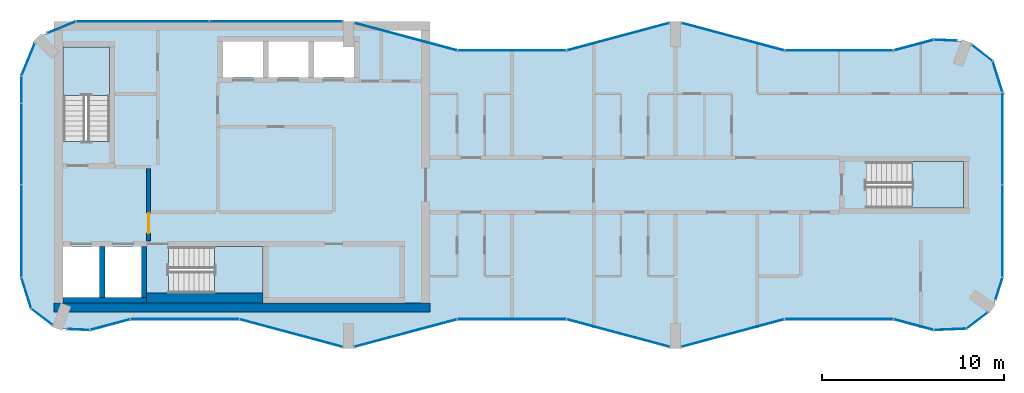
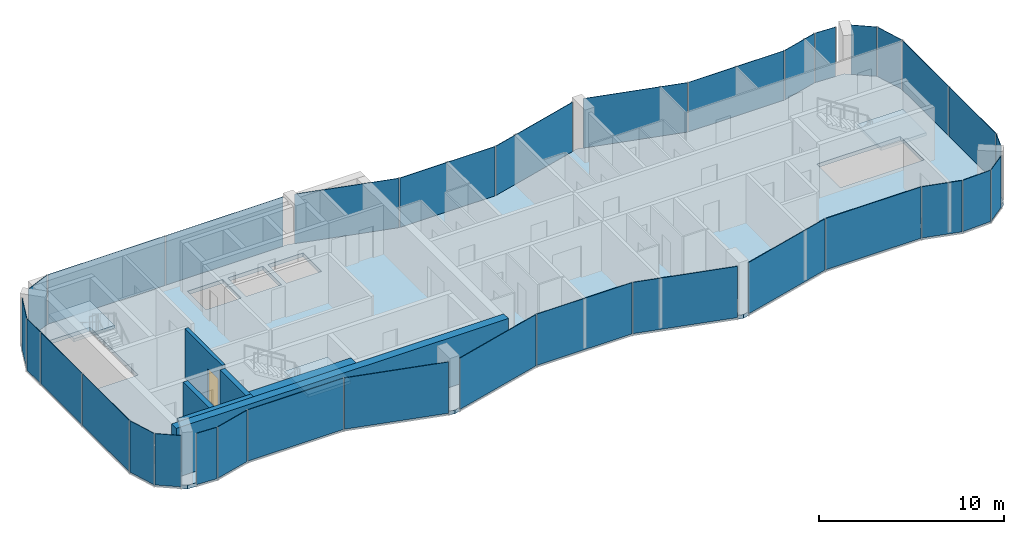
# One storey, part 6 of 10: 33 plates, 6 walls, 4 slabs, 1 door, 1 opening, 32 elements without a shape of their own.
"""IFC4 building model written with IfcOpenShell, lengths in metres."""

from ifc_helpers import new_model, si_unit, direction, frame, frame_2d, origin, origin_2d, place, context, subcontext, project, spatial, polyline, rectangle, outline, extrude, material, layer, layer_set, type_object, element, fill, aggregate, save


model = new_model("IFC4")

# Units and contexts
model_context = context("Model", 3, precision=1e-05, world=origin(), true_north=direction((0.0, 1.0)))
body_context = subcontext(model_context, "Body", "Model", "MODEL_VIEW")
ifc_project = project(units=[si_unit("LENGTHUNIT", "METRE"), si_unit("AREAUNIT", "SQUARE_METRE"), si_unit("VOLUMEUNIT", "CUBIC_METRE"), si_unit("PLANEANGLEUNIT", "RADIAN"), si_unit("MASSUNIT", "GRAM", prefix="KILO")], contexts=[model_context])

# Site, building, storey
site_placement = place(None, origin())
site = spatial("IfcSite", under=ifc_project, at=site_placement, CompositionType="ELEMENT")
building_placement = place(site_placement, origin())
building = spatial("IfcBuilding", under=site, at=building_placement, Name="Plateau Cross Towers", CompositionType="ELEMENT")
storey_placement = place(building_placement, frame((0.0, 0.0, 252.89990234375)))
storey = spatial("IfcBuildingStorey", under=building, at=storey_placement, Name="L66", CompositionType="ELEMENT", Elevation=252.89990234375)

# Curtain wall, plate
ifc_material_1 = material(Name="Dark low-iron glass", Category="glass")
ifc_layer_1 = layer(ifc_material_1, 0.239990234375)
ifc_layer_set_1 = layer_set([ifc_layer_1], Name="Dark low-iron glass")
curtain_wall_type_1 = type_object("IfcCurtainWallType", Name="Curtain wall flush unitised CW-B", PredefinedType="NOTDEFINED", material=ifc_layer_set_1)
curtain_wall_1_placement = place(storey_placement, origin())
curtain_wall_1 = element("IfcCurtainWall", 1, at=curtain_wall_1_placement, inside=storey, type_object=curtain_wall_type_1, Name="ENV/A/L66/A502_10", PredefinedType="NOTDEFINED")
ifc_layer_2 = layer(ifc_material_1, 0.031982421875)
ifc_layer_set_2 = layer_set([ifc_layer_2], Name="Dark low-iron glass")
plate_type_1 = type_object("IfcPlateType", Name="Glass panel 32 flush unitised", PredefinedType="CURTAIN_PANEL", material=ifc_layer_set_2)
plate_1_placement = place(storey_placement, frame((51.125, 1.05078125, -0.1298828125), z_axis=(0.0, 0.0, 1.0), x_axis=(0.999043701491, 0.043722791671, 0.0)))
plate_1 = element("IfcPlate", 2, at=plate_1_placement, type_object=plate_type_1, Name="CW-B panel 1", PredefinedType="CURTAIN_PANEL", context=body_context, shape_type="SweptSolid", body=[
    extrude(rectangle(XDim=1.744140625, YDim=0.031982421875, at=origin_2d()), origin(), (0.0, 0.0, 1.0), 3.3798828125),
])
aggregate(curtain_wall_1, [plate_1])

curtain_wall_2_placement = place(storey_placement, origin())
curtain_wall_2 = element("IfcCurtainWall", 3, at=curtain_wall_2_placement, inside=storey, type_object=curtain_wall_type_1, Name="ENV/A/L66/A520_11", PredefinedType="NOTDEFINED")
plate_2_placement = place(storey_placement, frame((52.60986328125, 1.5380859375, -0.1298828125), z_axis=(0.0, 0.0, 1.0), x_axis=(0.793315514529, 0.608810721331, 0.0)))
plate_2 = element("IfcPlate", 4, at=plate_2_placement, type_object=plate_type_1, Name="CW-B panel 1", PredefinedType="CURTAIN_PANEL", context=body_context, shape_type="SweptSolid", body=[
    extrude(rectangle(XDim=1.41162109375, YDim=0.031982421875, at=origin_2d()), origin(), (0.0, 0.0, 1.0), 3.3798828125),
])
aggregate(curtain_wall_2, [plate_2])

curtain_wall_3_placement = place(storey_placement, origin())
curtain_wall_3 = element("IfcCurtainWall", 5, at=curtain_wall_3_placement, inside=storey, type_object=curtain_wall_type_1, Name="ENV/A/L66/A536_27", PredefinedType="NOTDEFINED")
plate_3_placement = place(storey_placement, frame((53.805419921875, 3.292236328125, -0.1298828125), z_axis=(0.0, 0.0, 1.0), x_axis=(0.300686174994, 0.95372313811, 0.0)))
plate_3 = element("IfcPlate", 6, at=plate_3_placement, type_object=plate_type_1, Name="CW-B panel 1", PredefinedType="CURTAIN_PANEL", context=body_context, shape_type="SweptSolid", body=[
    extrude(rectangle(XDim=1.233642578125, YDim=0.031982421875, at=origin_2d()), origin(), (0.0, 0.0, 1.0), 3.3798828125),
])
aggregate(curtain_wall_3, [plate_3])

# Curtain wall, plates
curtain_wall_4_placement = place(storey_placement, origin())
curtain_wall_4 = element("IfcCurtainWall", 7, at=curtain_wall_4_placement, inside=storey, type_object=curtain_wall_type_1, Name="ENV/A/L66/A540_39", PredefinedType="NOTDEFINED")
plate_4_placement = place(storey_placement, frame((54.0, 6.45458984375, -0.1298828125), z_axis=(0.0, 0.0, 1.0), x_axis=(0.0, 1.0, 0.0)))
plate_4 = element("IfcPlate", 8, at=plate_4_placement, type_object=plate_type_1, Name="CW-B panel 1", PredefinedType="CURTAIN_PANEL", context=body_context, shape_type="SweptSolid", body=[
    extrude(rectangle(XDim=5.03076171875, YDim=0.031982421875, at=origin_2d()), origin(), (0.0, 0.0, 1.0), 3.3798828125),
])
plate_5_placement = place(storey_placement, frame((54.0, 11.54541015625, -0.1298828125), z_axis=(0.0, 0.0, 1.0), x_axis=(0.0, 1.0, 0.0)))
plate_5 = element("IfcPlate", 9, at=plate_5_placement, type_object=plate_type_1, Name="CW-B panel 2", PredefinedType="CURTAIN_PANEL", context=body_context, shape_type="SweptSolid", body=[
    extrude(rectangle(XDim=5.03076171875, YDim=0.031982421875, at=origin_2d()), origin(), (0.0, 0.0, 1.0), 3.3798828125),
])
aggregate(curtain_wall_4, [plate_4, plate_5])

# Curtain wall, plate
curtain_wall_5_placement = place(storey_placement, origin())
curtain_wall_5 = element("IfcCurtainWall", 10, at=curtain_wall_5_placement, inside=storey, type_object=curtain_wall_type_1, Name="ENV/A/L66/A540_141", PredefinedType="NOTDEFINED")
plate_6_placement = place(storey_placement, frame((53.728759765625, 14.951171875, -0.1298828125), z_axis=(0.0, 0.0, 1.0), x_axis=(-0.300686174994, 0.95372313811, 0.0)))
plate_6 = element("IfcPlate", 11, at=plate_6_placement, type_object=plate_type_1, Name="CW-B panel 1", PredefinedType="CURTAIN_PANEL", context=body_context, shape_type="SweptSolid", body=[
    extrude(rectangle(XDim=1.744140625, YDim=0.031982421875, at=origin_2d()), origin(), (0.0, 0.0, 1.0), 3.3798828125),
])
aggregate(curtain_wall_5, [plate_6])

curtain_wall_6_placement = place(storey_placement, origin())
curtain_wall_6 = element("IfcCurtainWall", 12, at=curtain_wall_6_placement, inside=storey, type_object=curtain_wall_type_1, Name="ENV/A/L66/A535_158", PredefinedType="NOTDEFINED")
plate_7_placement = place(storey_placement, frame((52.873779296875, 16.25927734375, -0.1298828125), z_axis=(0.0, 0.0, 1.0), x_axis=(-0.793315514529, 0.608810721331, 0.0)))
plate_7 = element("IfcPlate", 13, at=plate_7_placement, type_object=plate_type_1, Name="CW-B panel 1", PredefinedType="CURTAIN_PANEL", context=body_context, shape_type="SweptSolid", body=[
    extrude(rectangle(XDim=1.41162109375, YDim=0.031982421875, at=origin_2d()), origin(), (0.0, 0.0, 1.0), 3.3798828125),
])
aggregate(curtain_wall_6, [plate_7])

curtain_wall_7_placement = place(storey_placement, origin())
curtain_wall_7 = element("IfcCurtainWall", 14, at=curtain_wall_7_placement, inside=storey, type_object=curtain_wall_type_1, Name="ENV/A/L66/A515_169", PredefinedType="NOTDEFINED")
plate_8_placement = place(storey_placement, frame((50.8701171875, 16.96044921875, -0.1298828125), z_axis=(0.0, 0.0, 1.0), x_axis=(-0.999043701491, 0.043722791671, 0.0)))
plate_8 = element("IfcPlate", 15, at=plate_8_placement, type_object=plate_type_1, Name="CW-B panel 1", PredefinedType="CURTAIN_PANEL", context=body_context, shape_type="SweptSolid", body=[
    extrude(rectangle(XDim=1.233642578125, YDim=0.031982421875, at=origin_2d()), origin(), (0.0, 0.0, 1.0), 3.3798828125),
])
aggregate(curtain_wall_7, [plate_8])

# Curtain wall, plates
curtain_wall_8_placement = place(storey_placement, origin())
curtain_wall_8 = element("IfcCurtainWall", 16, at=curtain_wall_8_placement, inside=storey, type_object=curtain_wall_type_1, Name="ENV/A/L66/A177_180", PredefinedType="NOTDEFINED")
plate_9_placement = place(storey_placement, frame((14.02490234375, 18.0, -0.1298828125), z_axis=(0.0, 0.0, 1.0), x_axis=(-1.0, 0.0, 0.0)))
plate_9 = element("IfcPlate", 17, at=plate_9_placement, type_object=plate_type_1, Name="CW-B panel 1", PredefinedType="CURTAIN_PANEL", context=body_context, shape_type="SweptSolid", body=[
    extrude(rectangle(XDim=7.2900390625, YDim=0.031982421875, at=origin_2d()), origin(), (0.0, 0.0, 1.0), 3.3798828125),
])
plate_10_placement = place(storey_placement, frame((6.675048828125, 18.0, -0.1298828125), z_axis=(0.0, 0.0, 1.0), x_axis=(-1.0, 0.0, 0.0)))
plate_10 = element("IfcPlate", 18, at=plate_10_placement, type_object=plate_type_1, Name="CW-B panel 2", PredefinedType="CURTAIN_PANEL", context=body_context, shape_type="SweptSolid", body=[
    extrude(rectangle(XDim=7.2900390625, YDim=0.031982421875, at=origin_2d()), origin(), (0.0, 0.0, 1.0), 3.3798828125),
])
aggregate(curtain_wall_8, [plate_9, plate_10])

# Curtain wall, plate
curtain_wall_9_placement = place(storey_placement, origin())
curtain_wall_9 = element("IfcCurtainWall", 19, at=curtain_wall_9_placement, inside=storey, type_object=curtain_wall_type_1, Name="ENV/A/L66/A30_180", PredefinedType="NOTDEFINED")
plate_11_placement = place(storey_placement, frame((2.20166015625, 17.66943359375, -0.1298828125), z_axis=(0.0, 0.0, 1.0), x_axis=(-0.923879457699, -0.382683612978, 0.0)))
plate_11 = element("IfcPlate", 20, at=plate_11_placement, type_object=plate_type_1, Name="CW-B panel 1", PredefinedType="CURTAIN_PANEL", context=body_context, shape_type="SweptSolid", body=[
    extrude(rectangle(XDim=1.668212890625, YDim=0.031982421875, at=origin_2d()), origin(), (0.0, 0.0, 1.0), 3.3798828125),
])
aggregate(curtain_wall_9, [plate_11])

curtain_wall_10_placement = place(storey_placement, origin())
curtain_wall_10 = element("IfcCurtainWall", 21, at=curtain_wall_10_placement, inside=storey, type_object=curtain_wall_type_1, Name="ENV/A/L66/A7_168", PredefinedType="NOTDEFINED")
plate_12_placement = place(storey_placement, frame((0.3740234375, 15.90283203125, -0.1298828125), z_axis=(0.0, 0.0, 1.0), x_axis=(-0.382683612978, -0.923879457699, 0.0)))
plate_12 = element("IfcPlate", 22, at=plate_12_placement, type_object=plate_type_1, Name="CW-B panel 1", PredefinedType="CURTAIN_PANEL", context=body_context, shape_type="SweptSolid", body=[
    extrude(rectangle(XDim=1.894775390625, YDim=0.031982421875, at=origin_2d()), origin(), (0.0, 0.0, 1.0), 3.3798828125),
])
aggregate(curtain_wall_10, [plate_12])

# Curtain wall, plates
curtain_wall_11_placement = place(storey_placement, origin())
curtain_wall_11 = element("IfcCurtainWall", 23, at=curtain_wall_11_placement, inside=storey, type_object=curtain_wall_type_1, Name="ENV/A/L66/A0_150", PredefinedType="NOTDEFINED")
plate_13_placement = place(storey_placement, frame((0.0, 14.25, -0.1298828125), z_axis=(0.0, 0.0, 1.0), x_axis=(0.0, -1.0, 0.0)))
plate_13 = element("IfcPlate", 24, at=plate_13_placement, type_object=plate_type_1, Name="CW-B panel 1", PredefinedType="CURTAIN_PANEL", context=body_context, shape_type="SweptSolid", body=[
    extrude(rectangle(XDim=1.43994140625, YDim=0.031982421875, at=origin_2d()), origin(), (0.0, 0.0, 1.0), 3.3798828125),
])
plate_14_placement = place(storey_placement, frame((0.0, 11.25, -0.1298828125), z_axis=(0.0, 0.0, 1.0), x_axis=(0.0, -1.0, 0.0)))
plate_14 = element("IfcPlate", 25, at=plate_14_placement, type_object=plate_type_1, Name="CW-B panel 2", PredefinedType="CURTAIN_PANEL", context=body_context, shape_type="SweptSolid", body=[
    extrude(rectangle(XDim=4.43994140625, YDim=0.031982421875, at=origin_2d()), origin(), (0.0, 0.0, 1.0), 3.3798828125),
])
plate_15_placement = place(storey_placement, frame((0.0, 6.45458984375, -0.1298828125), z_axis=(0.0, 0.0, 1.0), x_axis=(0.0, -1.0, 0.0)))
plate_15 = element("IfcPlate", 26, at=plate_15_placement, type_object=plate_type_1, Name="CW-B panel 3", PredefinedType="CURTAIN_PANEL", context=body_context, shape_type="SweptSolid", body=[
    extrude(rectangle(XDim=5.03076171875, YDim=0.031982421875, at=origin_2d()), origin(), (0.0, 0.0, 1.0), 3.3798828125),
])
aggregate(curtain_wall_11, [plate_13, plate_14, plate_15])

# Curtain wall, plate
curtain_wall_12_placement = place(storey_placement, origin())
curtain_wall_12 = element("IfcCurtainWall", 27, at=curtain_wall_12_placement, inside=storey, type_object=curtain_wall_type_1, Name="ENV/A/L66/A0_39", PredefinedType="NOTDEFINED")
plate_16_placement = place(storey_placement, frame((0.271240234375, 3.048828125, -0.1298828125), z_axis=(0.0, 0.0, 1.0), x_axis=(0.300686174994, -0.95372313811, 0.0)))
plate_16 = element("IfcPlate", 28, at=plate_16_placement, type_object=plate_type_1, Name="CW-B panel 1", PredefinedType="CURTAIN_PANEL", context=body_context, shape_type="SweptSolid", body=[
    extrude(rectangle(XDim=1.744140625, YDim=0.031982421875, at=origin_2d()), origin(), (0.0, 0.0, 1.0), 3.3798828125),
])
aggregate(curtain_wall_12, [plate_16])

curtain_wall_13_placement = place(storey_placement, origin())
curtain_wall_13 = element("IfcCurtainWall", 29, at=curtain_wall_13_placement, inside=storey, type_object=curtain_wall_type_1, Name="ENV/A/L66/A5_22", PredefinedType="NOTDEFINED")
plate_17_placement = place(storey_placement, frame((1.126220703125, 1.74072265625, -0.1298828125), z_axis=(0.0, 0.0, 1.0), x_axis=(0.793315514529, -0.608810721331, 0.0)))
plate_17 = element("IfcPlate", 30, at=plate_17_placement, type_object=plate_type_1, Name="CW-B panel 1", PredefinedType="CURTAIN_PANEL", context=body_context, shape_type="SweptSolid", body=[
    extrude(rectangle(XDim=1.41162109375, YDim=0.031982421875, at=origin_2d()), origin(), (0.0, 0.0, 1.0), 3.3798828125),
])
aggregate(curtain_wall_13, [plate_17])

curtain_wall_14_placement = place(storey_placement, origin())
curtain_wall_14 = element("IfcCurtainWall", 31, at=curtain_wall_14_placement, inside=storey, type_object=curtain_wall_type_1, Name="ENV/A/L66/A25_11", PredefinedType="NOTDEFINED")
plate_18_placement = place(storey_placement, frame((3.1298828125, 1.03955078125, -0.1298828125), z_axis=(0.0, 0.0, 1.0), x_axis=(0.999043701491, -0.043722791671, 0.0)))
plate_18 = element("IfcPlate", 32, at=plate_18_placement, type_object=plate_type_1, Name="CW-B panel 1", PredefinedType="CURTAIN_PANEL", context=body_context, shape_type="SweptSolid", body=[
    extrude(rectangle(XDim=1.233642578125, YDim=0.031982421875, at=origin_2d()), origin(), (0.0, 0.0, 1.0), 3.3798828125),
])
aggregate(curtain_wall_14, [plate_18])

ifc_layer_3 = layer(ifc_material_1, 0.260009765625)
ifc_layer_set_3 = layer_set([ifc_layer_3], Name="Dark low-iron glass")
curtain_wall_type_2 = type_object("IfcCurtainWallType", Name="Curtain wall fluted unitised CW-A", PredefinedType="NOTDEFINED", material=ifc_layer_set_3)
curtain_wall_15_placement = place(storey_placement, origin())
curtain_wall_15 = element("IfcCurtainWall", 33, at=curtain_wall_15_placement, inside=storey, type_object=curtain_wall_type_2, Name="ENV/A/L66/A38_10", PredefinedType="NOTDEFINED")
ifc_layer_4 = layer(ifc_material_1, 0.035888671875)
ifc_layer_set_4 = layer_set([ifc_layer_4], Name="Dark low-iron glass")
plate_type_2 = type_object("IfcPlateType", Name="Glass panel 36 fluted unitised", PredefinedType="CURTAIN_PANEL", material=ifc_layer_set_4)
plate_19_placement = place(storey_placement, frame((4.887939453125, 1.30908203125, -0.1298828125), z_axis=(0.0, 0.0, 1.0), x_axis=(0.965957962328, 0.258699081978, 0.0)))
plate_19 = element("IfcPlate", 34, at=plate_19_placement, type_object=plate_type_2, Name="CW-A panel 1", PredefinedType="CURTAIN_PANEL", context=body_context, shape_type="SweptSolid", body=[
    extrude(rectangle(XDim=2.2421875, YDim=0.035888671875, at=origin_2d()), origin(), (0.0, 0.0, 1.0), 3.3798828125),
])
aggregate(curtain_wall_15, [plate_19])

curtain_wall_16_placement = place(storey_placement, origin())
curtain_wall_16 = element("IfcCurtainWall", 35, at=curtain_wall_16_placement, inside=storey, type_object=curtain_wall_type_2, Name="ENV/A/L66/A60_16", PredefinedType="NOTDEFINED")
plate_20_placement = place(storey_placement, frame((9.0, 1.60693359375, -0.1298828125), z_axis=(0.0, 0.0, 1.0), x_axis=(1.0, 0.0, 0.0)))
plate_20 = element("IfcPlate", 36, at=plate_20_placement, type_object=plate_type_2, Name="CW-A panel 1", PredefinedType="CURTAIN_PANEL", context=body_context, shape_type="SweptSolid", body=[
    extrude(rectangle(XDim=5.93994140625, YDim=0.035888671875, at=origin_2d()), origin(), (0.0, 0.0, 1.0), 3.3798828125),
])
aggregate(curtain_wall_16, [plate_20])

curtain_wall_17_placement = place(storey_placement, origin())
curtain_wall_17 = element("IfcCurtainWall", 37, at=curtain_wall_17_placement, inside=storey, type_object=curtain_wall_type_2, Name="ENV/A/L66/A120_16", PredefinedType="NOTDEFINED")
plate_21_placement = place(storey_placement, frame((14.841064453125, 0.845947265625, -0.1298828125), z_axis=(0.0, 0.0, 1.0), x_axis=(0.965957983404, -0.258699003279, 0.0)))
plate_21 = element("IfcPlate", 38, at=plate_21_placement, type_object=plate_type_2, Name="CW-A panel 1", PredefinedType="CURTAIN_PANEL", context=body_context, shape_type="SweptSolid", body=[
    extrude(rectangle(XDim=5.822265625, YDim=0.035888671875, at=origin_2d()), origin(), (0.0, 0.0, 1.0), 3.3798828125),
])
aggregate(curtain_wall_17, [plate_21])

curtain_wall_18_placement = place(storey_placement, origin())
curtain_wall_18 = element("IfcCurtainWall", 39, at=curtain_wall_18_placement, inside=storey, type_object=curtain_wall_type_2, Name="ENV/A/L66/A183_1", PredefinedType="NOTDEFINED")
plate_22_placement = place(storey_placement, frame((21.158935546875, 0.845947265625, -0.1298828125), z_axis=(0.0, 0.0, 1.0), x_axis=(0.965957983404, 0.258699003279, 0.0)))
plate_22 = element("IfcPlate", 40, at=plate_22_placement, type_object=plate_type_2, Name="CW-A panel 1", PredefinedType="CURTAIN_PANEL", context=body_context, shape_type="SweptSolid", body=[
    extrude(rectangle(XDim=5.822265625, YDim=0.035888671875, at=origin_2d()), origin(), (0.0, 0.0, 1.0), 3.3798828125),
])
aggregate(curtain_wall_18, [plate_22])

curtain_wall_19_placement = place(storey_placement, origin())
curtain_wall_19 = element("IfcCurtainWall", 41, at=curtain_wall_19_placement, inside=storey, type_object=curtain_wall_type_2, Name="ENV/A/L66/A240_16", PredefinedType="NOTDEFINED")
plate_23_placement = place(storey_placement, frame((27.0, 1.60693359375, -0.1298828125), z_axis=(0.0, 0.0, 1.0), x_axis=(1.0, 0.0, 0.0)))
plate_23 = element("IfcPlate", 42, at=plate_23_placement, type_object=plate_type_2, Name="CW-A panel 1", PredefinedType="CURTAIN_PANEL", context=body_context, shape_type="SweptSolid", body=[
    extrude(rectangle(XDim=5.93994140625, YDim=0.035888671875, at=origin_2d()), origin(), (0.0, 0.0, 1.0), 3.3798828125),
])
aggregate(curtain_wall_19, [plate_23])

curtain_wall_20_placement = place(storey_placement, origin())
curtain_wall_20 = element("IfcCurtainWall", 43, at=curtain_wall_20_placement, inside=storey, type_object=curtain_wall_type_2, Name="ENV/A/L66/A300_16", PredefinedType="NOTDEFINED")
plate_24_placement = place(storey_placement, frame((32.841064453125, 0.845947265625, -0.1298828125), z_axis=(0.0, 0.0, 1.0), x_axis=(0.965957983404, -0.258699003279, 0.0)))
plate_24 = element("IfcPlate", 44, at=plate_24_placement, type_object=plate_type_2, Name="CW-A panel 1", PredefinedType="CURTAIN_PANEL", context=body_context, shape_type="SweptSolid", body=[
    extrude(rectangle(XDim=5.822265625, YDim=0.035888671875, at=origin_2d()), origin(), (0.0, 0.0, 1.0), 3.3798828125),
])
aggregate(curtain_wall_20, [plate_24])

curtain_wall_21_placement = place(storey_placement, origin())
curtain_wall_21 = element("IfcCurtainWall", 45, at=curtain_wall_21_placement, inside=storey, type_object=curtain_wall_type_2, Name="ENV/A/L66/A363_1", PredefinedType="NOTDEFINED")
plate_25_placement = place(storey_placement, frame((39.158935546875, 0.845947265625, -0.1298828125), z_axis=(0.0, 0.0, 1.0), x_axis=(0.965957983404, 0.258699003279, 0.0)))
plate_25 = element("IfcPlate", 46, at=plate_25_placement, type_object=plate_type_2, Name="CW-A panel 1", PredefinedType="CURTAIN_PANEL", context=body_context, shape_type="SweptSolid", body=[
    extrude(rectangle(XDim=5.822265625, YDim=0.035888671875, at=origin_2d()), origin(), (0.0, 0.0, 1.0), 3.3798828125),
])
aggregate(curtain_wall_21, [plate_25])

curtain_wall_22_placement = place(storey_placement, origin())
curtain_wall_22 = element("IfcCurtainWall", 47, at=curtain_wall_22_placement, inside=storey, type_object=curtain_wall_type_2, Name="ENV/A/L66/A420_16", PredefinedType="NOTDEFINED")
plate_26_placement = place(storey_placement, frame((45.0, 1.60693359375, -0.1298828125), z_axis=(0.0, 0.0, 1.0), x_axis=(1.0, 0.0, 0.0)))
plate_26 = element("IfcPlate", 48, at=plate_26_placement, type_object=plate_type_2, Name="CW-A panel 1", PredefinedType="CURTAIN_PANEL", context=body_context, shape_type="SweptSolid", body=[
    extrude(rectangle(XDim=5.93994140625, YDim=0.035888671875, at=origin_2d()), origin(), (0.0, 0.0, 1.0), 3.3798828125),
])
aggregate(curtain_wall_22, [plate_26])

curtain_wall_23_placement = place(storey_placement, origin())
curtain_wall_23 = element("IfcCurtainWall", 49, at=curtain_wall_23_placement, inside=storey, type_object=curtain_wall_type_2, Name="ENV/A/L66/A480_16", PredefinedType="NOTDEFINED")
plate_27_placement = place(storey_placement, frame((49.112060546875, 1.30908203125, -0.1298828125), z_axis=(0.0, 0.0, 1.0), x_axis=(0.965957962328, -0.258699081978, 0.0)))
plate_27 = element("IfcPlate", 50, at=plate_27_placement, type_object=plate_type_2, Name="CW-A panel 1", PredefinedType="CURTAIN_PANEL", context=body_context, shape_type="SweptSolid", body=[
    extrude(rectangle(XDim=2.2421875, YDim=0.035888671875, at=origin_2d()), origin(), (0.0, 0.0, 1.0), 3.3798828125),
])
aggregate(curtain_wall_23, [plate_27])

curtain_wall_24_placement = place(storey_placement, origin())
curtain_wall_24 = element("IfcCurtainWall", 51, at=curtain_wall_24_placement, inside=storey, type_object=curtain_wall_type_2, Name="ENV/A/L66/A502_170", PredefinedType="NOTDEFINED")
plate_28_placement = place(storey_placement, frame((49.112060546875, 16.69091796875, -0.1298828125), z_axis=(0.0, 0.0, 1.0), x_axis=(-0.965957962328, -0.258699081978, 0.0)))
plate_28 = element("IfcPlate", 52, at=plate_28_placement, type_object=plate_type_2, Name="CW-A panel 1", PredefinedType="CURTAIN_PANEL", context=body_context, shape_type="SweptSolid", body=[
    extrude(rectangle(XDim=2.2421875, YDim=0.035888671875, at=origin_2d()), origin(), (0.0, 0.0, 1.0), 3.3798828125),
])
aggregate(curtain_wall_24, [plate_28])

curtain_wall_25_placement = place(storey_placement, origin())
curtain_wall_25 = element("IfcCurtainWall", 53, at=curtain_wall_25_placement, inside=storey, type_object=curtain_wall_type_2, Name="ENV/A/L66/A480_164", PredefinedType="NOTDEFINED")
plate_29_placement = place(storey_placement, frame((45.0, 16.39306640625, -0.1298828125), z_axis=(0.0, 0.0, 1.0), x_axis=(-1.0, 0.0, 0.0)))
plate_29 = element("IfcPlate", 54, at=plate_29_placement, type_object=plate_type_2, Name="CW-A panel 1", PredefinedType="CURTAIN_PANEL", context=body_context, shape_type="SweptSolid", body=[
    extrude(rectangle(XDim=5.93994140625, YDim=0.035888671875, at=origin_2d()), origin(), (0.0, 0.0, 1.0), 3.3798828125),
])
aggregate(curtain_wall_25, [plate_29])

curtain_wall_26_placement = place(storey_placement, origin())
curtain_wall_26 = element("IfcCurtainWall", 55, at=curtain_wall_26_placement, inside=storey, type_object=curtain_wall_type_2, Name="ENV/A/L66/A420_164", PredefinedType="NOTDEFINED")
plate_30_placement = place(storey_placement, frame((39.158935546875, 17.154052734375, -0.1298828125), z_axis=(0.0, 0.0, 1.0), x_axis=(-0.965957983404, 0.258699003279, 0.0)))
plate_30 = element("IfcPlate", 56, at=plate_30_placement, type_object=plate_type_2, Name="CW-A panel 1", PredefinedType="CURTAIN_PANEL", context=body_context, shape_type="SweptSolid", body=[
    extrude(rectangle(XDim=5.822265625, YDim=0.035888671875, at=origin_2d()), origin(), (0.0, 0.0, 1.0), 3.3798828125),
])
aggregate(curtain_wall_26, [plate_30])

curtain_wall_27_placement = place(storey_placement, origin())
curtain_wall_27 = element("IfcCurtainWall", 57, at=curtain_wall_27_placement, inside=storey, type_object=curtain_wall_type_2, Name="ENV/A/L66/A357_179", PredefinedType="NOTDEFINED")
plate_31_placement = place(storey_placement, frame((32.841064453125, 17.154052734375, -0.1298828125), z_axis=(0.0, 0.0, 1.0), x_axis=(-0.965957983404, -0.258699003279, 0.0)))
plate_31 = element("IfcPlate", 58, at=plate_31_placement, type_object=plate_type_2, Name="CW-A panel 1", PredefinedType="CURTAIN_PANEL", context=body_context, shape_type="SweptSolid", body=[
    extrude(rectangle(XDim=5.822265625, YDim=0.035888671875, at=origin_2d()), origin(), (0.0, 0.0, 1.0), 3.3798828125),
])
aggregate(curtain_wall_27, [plate_31])

curtain_wall_28_placement = place(storey_placement, origin())
curtain_wall_28 = element("IfcCurtainWall", 59, at=curtain_wall_28_placement, inside=storey, type_object=curtain_wall_type_2, Name="ENV/A/L66/A300_164", PredefinedType="NOTDEFINED")
plate_32_placement = place(storey_placement, frame((27.0, 16.39306640625, -0.1298828125), z_axis=(0.0, 0.0, 1.0), x_axis=(-1.0, 0.0, 0.0)))
plate_32 = element("IfcPlate", 60, at=plate_32_placement, type_object=plate_type_2, Name="CW-A panel 1", PredefinedType="CURTAIN_PANEL", context=body_context, shape_type="SweptSolid", body=[
    extrude(rectangle(XDim=5.93994140625, YDim=0.035888671875, at=origin_2d()), origin(), (0.0, 0.0, 1.0), 3.3798828125),
])
aggregate(curtain_wall_28, [plate_32])

curtain_wall_29_placement = place(storey_placement, origin())
curtain_wall_29 = element("IfcCurtainWall", 61, at=curtain_wall_29_placement, inside=storey, type_object=curtain_wall_type_2, Name="ENV/A/L66/A240_164", PredefinedType="NOTDEFINED")
plate_33_placement = place(storey_placement, frame((21.158935546875, 17.154052734375, -0.1298828125), z_axis=(0.0, 0.0, 1.0), x_axis=(-0.965957983404, 0.258699003279, 0.0)))
plate_33 = element("IfcPlate", 62, at=plate_33_placement, type_object=plate_type_2, Name="CW-A panel 1", PredefinedType="CURTAIN_PANEL", context=body_context, shape_type="SweptSolid", body=[
    extrude(rectangle(XDim=5.822265625, YDim=0.035888671875, at=origin_2d()), origin(), (0.0, 0.0, 1.0), 3.3798828125),
])
aggregate(curtain_wall_29, [plate_33])

# Slab
ifc_material_2 = material(Name="Concrete C40/50", Category="concrete")
ifc_layer_5 = layer(ifc_material_2, 0.25)
ifc_layer_set_5 = layer_set([ifc_layer_5], Name="Concrete C40/50")
slab_type_1 = type_object("IfcSlabType", Name="Post-tensioned flat plate slab 250", PredefinedType="FLOOR", material=ifc_layer_set_5)
slab_1_placement = place(storey_placement, frame((0.0, 0.0, -0.25)))
element("IfcSlab", 63, at=slab_1_placement, inside=storey, type_object=slab_type_1, Name="SL-A-L66", PredefinedType="FLOOR", context=body_context, shape_type="SweptSolid", body=[
    extrude(outline(polyline([(1.9736328125, 1.090087890625), (0.54248046875, 2.1884765625), (0.0, 3.9091796875), (0.0, 15.0), (0.878662109375, 17.121337890625), (3.0, 18.0), (18.0, 18.0), (24.0, 16.39306640625), (30.0, 16.39306640625), (36.0, 18.0), (42.0, 16.39306640625), (48.0, 16.39306640625), (50.223876953125, 16.98876953125), (52.0263671875, 16.909912109375), (53.45751953125, 15.8115234375), (54.0, 14.0908203125), (54.0, 3.9091796875), (53.45751953125, 2.1884765625), (52.0263671875, 1.090087890625), (50.223876953125, 1.01123046875), (48.0, 1.60693359375), (42.0, 1.60693359375), (36.0, 0.0), (30.0, 1.60693359375), (24.0, 1.60693359375), (18.0, 0.0), (12.0, 1.60693359375), (6.0, 1.60693359375), (3.776123046875, 1.01123046875), (1.9736328125, 1.090087890625)]), holes=[polyline([(4.300048828125, 5.60009765625), (2.300048828125, 5.60009765625), (2.300048828125, 2.800048828125), (4.300048828125, 2.800048828125), (4.300048828125, 5.60009765625)]), polyline([(6.60009765625, 5.60009765625), (4.60009765625, 5.60009765625), (4.60009765625, 2.800048828125), (6.60009765625, 2.800048828125), (6.60009765625, 5.60009765625)]), polyline([(13.300048828125, 5.60009765625), (8.10009765625, 5.60009765625), (8.10009765625, 3.050048828125), (13.300048828125, 3.050048828125), (13.300048828125, 5.60009765625)]), polyline([(51.699951171875, 10.27490234375), (46.5, 10.27490234375), (46.5, 7.72509765625), (51.699951171875, 7.72509765625), (51.699951171875, 10.27490234375)]), polyline([(2.300048828125, 16.60009765625), (2.300048828125, 11.39990234375), (4.85009765625, 11.39990234375), (4.85009765625, 16.60009765625), (2.300048828125, 16.60009765625)]), polyline([(13.300048828125, 16.89990234375), (11.10009765625, 16.89990234375), (11.10009765625, 14.89990234375), (13.300048828125, 14.89990234375), (13.300048828125, 16.89990234375)]), polyline([(15.800048828125, 16.89990234375), (13.60009765625, 16.89990234375), (13.60009765625, 14.89990234375), (15.800048828125, 14.89990234375), (15.800048828125, 16.89990234375)]), polyline([(18.300048828125, 16.89990234375), (16.10009765625, 16.89990234375), (16.10009765625, 14.89990234375), (18.300048828125, 14.89990234375), (18.300048828125, 16.89990234375)])]), origin(), (0.0, 0.0, 1.0), 0.25),
])

# Stair, slab
stair_type = type_object("IfcStairType", Name="ST-TWR", PredefinedType="HALF_TURN_STAIR", material=ifc_material_2)
stair_1_placement = place(storey_placement, origin())
stair_1 = element("IfcStair", 64, at=stair_1_placement, inside=storey, type_object=stair_type, Name="L66 Protected Exit Stair ST-1", PredefinedType="HALF_TURN_STAIR")
ifc_layer_6 = layer(ifc_material_2, 0.199951171875)
ifc_layer_set_6 = layer_set([ifc_layer_6], Name="Concrete C40/50")
slab_type_2 = type_object("IfcSlabType", Name="SL-LANDING", PredefinedType="LANDING", material=ifc_layer_set_6)
slab_2_placement = place(storey_placement, frame((0.0, 0.0, 1.550048828125)))
slab_2 = element("IfcSlab", 65, at=slab_2_placement, type_object=slab_type_2, Name="ST-1 landing 1", PredefinedType="LANDING", context=body_context, shape_type="SweptSolid", body=[
    extrude(outline(polyline([(4.85009765625, 13.919921875), (4.85009765625, 16.60009765625), (2.300048828125, 16.60009765625), (2.300048828125, 13.919921875), (4.85009765625, 13.919921875)])), origin(), (0.0, 0.0, 1.0), 0.199951171875),
])
aggregate(stair_1, [slab_2])

stair_2_placement = place(storey_placement, origin())
stair_2 = element("IfcStair", 66, at=stair_2_placement, inside=storey, type_object=stair_type, Name="L66 Protected Exit Stair ST-2", PredefinedType="HALF_TURN_STAIR")
slab_3_placement = place(storey_placement, frame((0.0, 0.0, 1.550048828125)))
slab_3 = element("IfcSlab", 67, at=slab_3_placement, type_object=slab_type_2, Name="ST-2 landing 1", PredefinedType="LANDING", context=body_context, shape_type="SweptSolid", body=[
    extrude(outline(polyline([(10.6201171875, 3.050048828125), (13.300048828125, 3.050048828125), (13.300048828125, 5.60009765625), (10.6201171875, 5.60009765625), (10.6201171875, 3.050048828125)])), origin(), (0.0, 0.0, 1.0), 0.199951171875),
])
aggregate(stair_2, [slab_3])

stair_3_placement = place(storey_placement, origin())
stair_3 = element("IfcStair", 68, at=stair_3_placement, inside=storey, type_object=stair_type, Name="L66 Protected Exit Stair E", PredefinedType="HALF_TURN_STAIR")
slab_4_placement = place(storey_placement, frame((0.0, 0.0, 1.550048828125)))
slab_4 = element("IfcSlab", 69, at=slab_4_placement, type_object=slab_type_2, Name="ES-E landing 1", PredefinedType="LANDING", context=body_context, shape_type="SweptSolid", body=[
    extrude(outline(polyline([(49.02001953125, 7.72509765625), (51.85009765625, 7.72509765625), (51.85009765625, 10.27490234375), (49.02001953125, 10.27490234375), (49.02001953125, 7.72509765625)])), origin(), (0.0, 0.0, 1.0), 0.199951171875),
])
aggregate(stair_3, [slab_4])

# Wall, opening, door
ifc_material_3 = material(Name="Concrete block, plastered both sides", Category="concrete")
ifc_layer_7 = layer(ifc_material_3, 0.199951171875)
ifc_layer_set_7 = layer_set([ifc_layer_7], Name="Concrete block, plastered both sides")
wall_type_1 = type_object("IfcWallType", Name="Core partition 200", PredefinedType="PARTITIONING", material=ifc_layer_set_7)
wall_1_placement = place(storey_placement, frame((7.0, 5.89990234375, 0.0), z_axis=(0.0, 0.0, 1.0), x_axis=(0.0, 1.0, 0.0)))
wall_1 = element("IfcWall", 70, at=wall_1_placement, inside=storey, type_object=wall_type_1, Name="Core partition", PredefinedType="PARTITIONING", context=body_context, shape_type="SweptSolid", body=[
    extrude(rectangle(XDim=4.0, YDim=0.199951171875, at=frame_2d((2.0, 0.0))), origin(), (0.0, 0.0, 1.0), 3.25),
])
opening_placement = place(wall_1_placement, frame((0.449951171875, 0.0, 0.0)))
opening = element("IfcOpeningElement", 71, at=opening_placement, cuts=wall_1, Name="Opening FFD", PredefinedType="OPENING", context=body_context, shape_type="SweptSolid", body=[
    extrude(rectangle(XDim=1.10009765625, YDim=2.10009765625, at=frame_2d((0.550048828125, 1.050048828125))), frame((0.0, 0.10986328125, 0.0), z_axis=(0.0, -1.0, 0.0), x_axis=(1.0, 0.0, 0.0)), (0.0, 0.0, 1.0), 0.219970703125),
])
ifc_material_4 = material(Name="Steel, fire-resisting leaf", Category="steel")
door_type = type_object("IfcDoorType", Name="Firefighting lobby door 1100", OperationType="NOTDEFINED", PredefinedType="DOOR", material=ifc_material_4)
door_placement = place(opening_placement, origin())
door = element("IfcDoor", 72, at=door_placement, inside=storey, type_object=door_type, Name="Firefighting lobby door FFD", OperationType="SINGLE_SWING_LEFT", OverallHeight=2.10009765625, OverallWidth=1.10009765625, PredefinedType="DOOR", context=body_context, shape_type="SweptSolid", body=[
    extrude(rectangle(XDim=1.10009765625, YDim=2.10009765625, at=frame_2d((0.550048828125, 1.050048828125))), frame((0.0, 0.02490234375, 0.0), z_axis=(0.0, -1.0, 0.0), x_axis=(1.0, 0.0, 0.0)), (0.0, 0.0, 1.0), 0.050048828125),
])
fill(opening, door)

# Walls
ifc_material_5 = material(Name="Concrete C60/75", Category="concrete")
ifc_layer_8 = layer(ifc_material_5, 0.300048828125)
ifc_layer_set_8 = layer_set([ifc_layer_8], Name="Concrete C60/75")
wall_type_2 = type_object("IfcWallType", Name="Core shaft wall 300", PredefinedType="SHEAR", material=ifc_layer_set_8)
wall_2_placement = place(storey_placement, frame((2.300048828125, 2.64990234375, 0.0), z_axis=(0.0, 0.0, 1.0), x_axis=(1.0, 0.0, 0.0)))
element("IfcWall", 73, at=wall_2_placement, inside=storey, type_object=wall_type_2, Name="A-sb-back1@L66", PredefinedType="SHEAR", context=body_context, shape_type="SweptSolid", body=[
    extrude(rectangle(XDim=4.599853515625, YDim=0.300048828125, at=frame_2d((2.2998046875, 0.0))), origin(), (0.0, 0.0, 1.0), 3.25),
])
for number, where, z_axis, x_axis, name in (
    (74, (4.449951171875, 2.800048828125, 0.0), (0.0, 0.0, 1.0), (0.0, 1.0, 0.0), "A-sb-v1@L66"),
    (75, (6.75, 2.800048828125, 0.0), (0.0, 0.0, 1.0), (0.0, 1.0, 0.0), "A-sb-v2@L66"),
):
    element("IfcWall", number, at=place(storey_placement, frame(where, z_axis=z_axis, x_axis=x_axis)), inside=storey, type_object=wall_type_2, Name=name, PredefinedType="SHEAR", context=body_context, shape_type="SweptSolid", body=[
        extrude(rectangle(XDim=2.800048828125, YDim=0.300048828125, at=frame_2d((1.39990234375, 0.0))), origin(), (0.0, 0.0, 1.0), 3.25),
    ])
ifc_layer_9 = layer(ifc_material_5, 0.550048828125)
ifc_layer_set_9 = layer_set([ifc_layer_9], Name="Concrete C60/75")
wall_type_3 = type_object("IfcWallType", Name="Core shaft wall 550", PredefinedType="SHEAR", material=ifc_layer_set_9)
wall_3_placement = place(storey_placement, frame((6.89990234375, 2.77490234375, 0.0), z_axis=(0.0, 0.0, 1.0), x_axis=(1.0, 0.0, 0.0)))
element("IfcWall", 76, at=wall_3_placement, inside=storey, type_object=wall_type_3, Name="A-sb-back2@L66", PredefinedType="SHEAR", context=body_context, shape_type="SweptSolid", body=[
    extrude(rectangle(XDim=6.400146484375, YDim=0.550048828125, at=frame_2d((3.2001953125, 0.0))), origin(), (0.0, 0.0, 1.0), 3.25),
])
ifc_layer_10 = layer(ifc_material_5, 0.5)
ifc_layer_set_10 = layer_set([ifc_layer_10], Name="Concrete C60/75")
wall_type_4 = type_object("IfcWallType", Name="Core shell wall 500", PredefinedType="SHEAR", material=ifc_layer_set_10)
wall_4_placement = place(storey_placement, frame((1.800048828125, 2.25, 0.0), z_axis=(0.0, 0.0, 1.0), x_axis=(1.0, 0.0, 0.0)))
element("IfcWall", 77, at=wall_4_placement, inside=storey, type_object=wall_type_4, Name="A-core-S@L66", PredefinedType="SHEAR", context=body_context, shape_type="SweptSolid", body=[
    extrude(rectangle(XDim=20.699951171875, YDim=0.5, at=frame_2d((10.35009765625, 0.0))), origin(), (0.0, 0.0, 1.0), 3.25),
])

save(model, "model.ifc")
